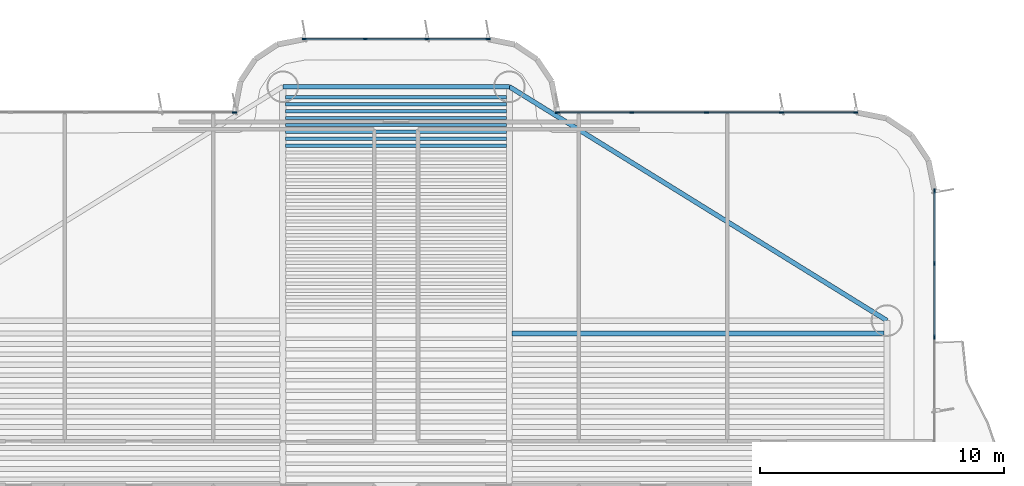
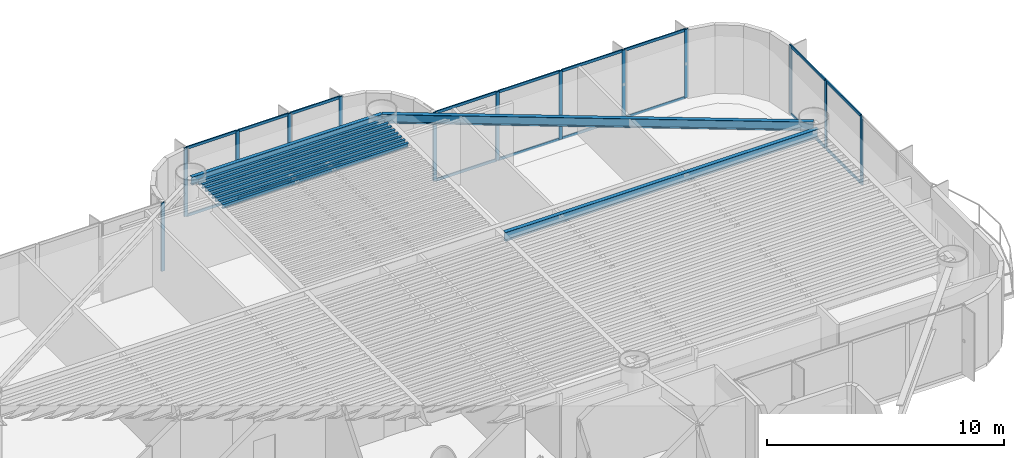
# One storey, part 7 of 16: 31 members, 11 beams, 4 elements without a shape of their own.
"""IFC4 building model written with IfcOpenShell, lengths in metres."""

from ifc_helpers import new_model, si_unit, direction, frame, origin, origin_2d, place, context, subcontext, project, spatial, rectangle, i_section, extrude, source, transform, mapped, material, layer, layer_set, material_profile, profile_set, type_object, element, aggregate, save


model = new_model("IFC4")

# Units and contexts
model_context = context("Model", 3, precision=1e-05, world=origin(), true_north=direction((0.0, 1.0)))
body_context = subcontext(model_context, "Body", "Model", "MODEL_VIEW")
ifc_project = project(units=[si_unit("LENGTHUNIT", "METRE"), si_unit("AREAUNIT", "SQUARE_METRE"), si_unit("VOLUMEUNIT", "CUBIC_METRE"), si_unit("PLANEANGLEUNIT", "RADIAN"), si_unit("MASSUNIT", "GRAM", prefix="KILO")], contexts=[model_context])

# Site, building, storey
site_placement = place(None, origin())
site = spatial("IfcSite", under=ifc_project, at=site_placement, CompositionType="ELEMENT")
building_placement = place(site_placement, origin())
building = spatial("IfcBuilding", under=site, at=building_placement, Name="Brelvock Crest Care Tower", CompositionType="ELEMENT")
storey_placement = place(building_placement, frame((0.0, 0.0, 112.5)))
storey = spatial("IfcBuildingStorey", under=building, at=storey_placement, Name="L28", CompositionType="ELEMENT", Elevation=112.5)

# Beams
ifc_material_1 = material(Name="Steel Grade 350", Category="steel")
ifc_material_profile_1 = material_profile(ifc_material_1, i_section(OverallWidth=0.177978515625, OverallDepth=0.406005859375, WebThickness=0.0078125, FlangeThickness=0.0126953125, FilletRadius=0.011474609375, at=origin_2d()), Name="410UB59.7")
ifc_profile_set_1 = profile_set([ifc_material_profile_1], Name="Steel Grade 350")
beam_type_1 = type_object("IfcBeamType", Name="BM-SP1", PredefinedType="SPANDREL", material=ifc_profile_set_1)
shared_shape_1 = source(origin(), body_context, "Body", "SweptSolid", [
    extrude(i_section(OverallWidth=0.177978515625, OverallDepth=0.406005859375, WebThickness=0.0078125, FlangeThickness=0.0126953125, FilletRadius=0.011474609375, at=origin_2d()), origin(), (0.0, 0.0, 1.0), 9.2998046875),
])
beam_1_placement = place(storey_placement, frame((31.35009765625, 48.449951171875, 3.326904296875), z_axis=(1.0, 0.0, 0.0), x_axis=(0.0, 1.0, 0.0)))
element("IfcBeam", 1, at=beam_1_placement, inside=storey, type_object=beam_type_1, Name="BM-TWR-L28-08", PredefinedType="SPANDREL", context=body_context, shape_type="MappedRepresentation", body=[
    mapped(shared_shape_1, transform((0.0, 0.0, 0.0), x_axis=(1.0, 0.0, 0.0), y_axis=(0.0, 1.0, 0.0), z_axis=(0.0, 0.0, 1.0), scale=1.0)),
])
ifc_material_profile_2 = material_profile(ifc_material_1, i_section(OverallWidth=0.134033203125, OverallDepth=0.20703125, WebThickness=0.00634765625, FlangeThickness=0.009521484375, FilletRadius=0.0087890625, at=origin_2d()), Name="200UB29.8")
ifc_profile_set_2 = profile_set([ifc_material_profile_2], Name="Steel Grade 350")
beam_type_2 = type_object("IfcBeamType", Name="BM-J4", PredefinedType="JOIST", material=ifc_profile_set_2)
shared_shape_2 = source(origin(), body_context, "Body", "SweptSolid", [
    extrude(i_section(OverallWidth=0.134033203125, OverallDepth=0.20703125, WebThickness=0.00634765625, FlangeThickness=0.009521484375, FilletRadius=0.0087890625, at=origin_2d()), origin(), (0.0, 0.0, 1.0), 9.06982421875),
])
for number, where, z_axis, x_axis, name in (
    (2, (31.465087890625, 46.03076171875, 3.426513671875), (1.0, 0.0, 0.0), (0.0, 1.0, 0.0), "BM-JN-L28-25"),
    (3, (31.465087890625, 46.31396484375, 3.426513671875), (1.0, 0.0, 0.0), (0.0, 1.0, 0.0), "BM-JN-L28-26"),
    (4, (31.465087890625, 46.59716796875, 3.426513671875), (1.0, 0.0, 0.0), (0.0, 1.0, 0.0), "BM-JN-L28-27"),
    (5, (31.465087890625, 46.88037109375, 3.426513671875), (1.0, 0.0, 0.0), (0.0, 1.0, 0.0), "BM-JN-L28-28"),
    (6, (31.465087890625, 47.16357421875, 3.426513671875), (1.0, 0.0, 0.0), (0.0, 1.0, 0.0), "BM-JN-L28-29"),
    (7, (31.465087890625, 47.44677734375, 3.426513671875), (1.0, 0.0, 0.0), (0.0, 1.0, 0.0), "BM-JN-L28-30"),
    (8, (31.465087890625, 47.72998046875, 3.426513671875), (1.0, 0.0, 0.0), (0.0, 1.0, 0.0), "BM-JN-L28-31"),
    (9, (31.465087890625, 48.01318359375, 3.426513671875), (1.0, 0.0, 0.0), (0.0, 1.0, 0.0), "BM-JN-L28-32"),
):
    element("IfcBeam", number, at=place(storey_placement, frame(where, z_axis=z_axis, x_axis=x_axis)), inside=storey, type_object=beam_type_2, Name=name, PredefinedType="JOIST", context=body_context, shape_type="MappedRepresentation", body=[
        mapped(shared_shape_2, transform((0.0, 0.0, 0.0), x_axis=(1.0, 0.0, 0.0), y_axis=(0.0, 1.0, 0.0), z_axis=(0.0, 0.0, 1.0), scale=1.0)),
    ])
ifc_material_profile_3 = material_profile(ifc_material_1, i_section(OverallWidth=0.19091796875, OverallDepth=0.4599609375, WebThickness=0.010009765625, FlangeThickness=0.01611328125, FilletRadius=0.011474609375, at=origin_2d()), Name="460UB82.1")
ifc_profile_set_3 = profile_set([ifc_material_profile_3], Name="Steel Grade 350")
beam_type_3 = type_object("IfcBeamType", Name="BM-G3", PredefinedType="BEAM", material=ifc_profile_set_3)
shared_shape_3 = source(origin(), body_context, "Body", "SweptSolid", [
    extrude(i_section(OverallWidth=0.19091796875, OverallDepth=0.4599609375, WebThickness=0.010009765625, FlangeThickness=0.01611328125, FilletRadius=0.011474609375, at=origin_2d()), origin(), (0.0, 0.0, 1.0), 15.27001953125),
])
beam_2_placement = place(storey_placement, frame((40.764892578125, 38.317626953125, 3.300048828125), z_axis=(1.0, 0.0, 0.0), x_axis=(0.0, 1.0, 0.0)))
element("IfcBeam", 10, at=beam_2_placement, inside=storey, type_object=beam_type_3, Name="BM-JE-L28-26", PredefinedType="BEAM", context=body_context, shape_type="MappedRepresentation", body=[
    mapped(shared_shape_3, transform((0.0, 0.0, 0.0), x_axis=(1.0, 0.0, 0.0), y_axis=(0.0, 1.0, 0.0), z_axis=(0.0, 0.0, 1.0), scale=1.0)),
])
ifc_material_profile_4 = material_profile(ifc_material_1, i_section(OverallWidth=0.19091796875, OverallDepth=0.4599609375, WebThickness=0.010009765625, FlangeThickness=0.01611328125, FilletRadius=0.011474609375, at=origin_2d()), Name="460UB82.1")
ifc_profile_set_4 = profile_set([ifc_material_profile_4], Name="Steel Grade 350")
beam_type_4 = type_object("IfcBeamType", Name="BM-SP2", PredefinedType="SPANDREL", material=ifc_profile_set_4)
shared_shape_4 = source(origin(), body_context, "Body", "SweptSolid", [
    extrude(i_section(OverallWidth=0.19091796875, OverallDepth=0.4599609375, WebThickness=0.010009765625, FlangeThickness=0.01611328125, FilletRadius=0.011474609375, at=origin_2d()), origin(), (0.0, 0.0, 1.0), 18.23193359375),
])
beam_3_placement = place(storey_placement, frame((40.64990234375, 48.449951171875, 3.300048828125), z_axis=(0.85015183248, -0.526537616635, 0.0), x_axis=(0.526537616635, 0.85015183248, 0.0)))
element("IfcBeam", 11, at=beam_3_placement, inside=storey, type_object=beam_type_4, Name="BM-TWR-L28-07", PredefinedType="SPANDREL", context=body_context, shape_type="MappedRepresentation", body=[
    mapped(shared_shape_4, transform((0.0, 0.0, 0.0), x_axis=(1.0, 0.0, 0.0), y_axis=(0.0, 1.0, 0.0), z_axis=(0.0, 0.0, 1.0), scale=1.0)),
])

# Curtain wall, member
ifc_material_2 = material(Name="Dark Glass Double Glazed Low-E", Category="glass")
ifc_layer = layer(ifc_material_2, 0.2099609375, Name="CWS-3")
ifc_layer_set = layer_set([ifc_layer], Name="Dark Glass Double Glazed Low-E")
curtain_wall_type = type_object("IfcCurtainWallType", Name="CWS-3", PredefinedType="NOTDEFINED", material=ifc_layer_set)
curtain_wall_1_placement = place(storey_placement, origin())
curtain_wall_1 = element("IfcCurtainWall", 12, at=curtain_wall_1_placement, inside=storey, type_object=curtain_wall_type, Name="L28 Curtain Wall E22", PredefinedType="NOTDEFINED")
ifc_material_3 = material(Name="Aluminium 6063-T6", Category="aluminium")
ifc_material_profile_5 = material_profile(ifc_material_3, rectangle(XDim=0.06005859375, YDim=0.179931640625, at=origin_2d()), Name="ALU60x180")
ifc_profile_set_5 = profile_set([ifc_material_profile_5], Name="Aluminium 6063-T6")
member_type_1 = type_object("IfcMemberType", Name="CWM-2", PredefinedType="MULLION", material=ifc_profile_set_5)
shared_shape_5 = source(origin(), body_context, "Body", "SweptSolid", [
    extrude(rectangle(XDim=0.06005859375, YDim=0.179931640625, at=origin_2d()), origin(), (0.0, 0.0, 1.0), 3.530029296875),
])
member_1_placement = place(storey_placement, frame((29.3701171875, 47.39990234375, 0.0), z_axis=(0.0, 0.0, 1.0), x_axis=(0.0, 1.0, 0.0)))
member_1 = element("IfcMember", 13, at=member_1_placement, type_object=member_type_1, Name="CW-3 mullion 5", PredefinedType="MULLION", context=body_context, shape_type="MappedRepresentation", body=[
    mapped(shared_shape_5, transform((0.0, 0.0, 0.0), x_axis=(1.0, 0.0, 0.0), y_axis=(0.0, 1.0, 0.0), z_axis=(0.0, 0.0, 1.0), scale=1.0)),
])
aggregate(curtain_wall_1, [member_1])

# Curtain wall, members
curtain_wall_2_placement = place(storey_placement, origin())
curtain_wall_2 = element("IfcCurtainWall", 14, at=curtain_wall_2_placement, inside=storey, type_object=curtain_wall_type, Name="L28 Curtain Wall E28", PredefinedType="NOTDEFINED")
member_2_placement = place(storey_placement, frame((32.22998046875, 50.39990234375, 0.0), z_axis=(0.0, 0.0, 1.0), x_axis=(0.0, 1.0, 0.0)))
member_2 = element("IfcMember", 15, at=member_2_placement, type_object=member_type_1, Name="CW-3 mullion 1", PredefinedType="MULLION", context=body_context, shape_type="MappedRepresentation", body=[
    mapped(shared_shape_5, transform((0.0, 0.0, 0.0), x_axis=(1.0, 0.0, 0.0), y_axis=(0.0, 1.0, 0.0), z_axis=(0.0, 0.0, 1.0), scale=1.0)),
])
member_3_placement = place(storey_placement, frame((34.7333984375, 50.39990234375, 0.0), z_axis=(0.0, 0.0, 1.0), x_axis=(0.0, 1.0, 0.0)))
member_3 = element("IfcMember", 16, at=member_3_placement, type_object=member_type_1, Name="CW-3 mullion 2", PredefinedType="MULLION", context=body_context, shape_type="MappedRepresentation", body=[
    mapped(shared_shape_5, transform((0.0, 0.0, 0.0), x_axis=(1.0, 0.0, 0.0), y_axis=(0.0, 1.0, 0.0), z_axis=(0.0, 0.0, 1.0), scale=1.0)),
])
member_4_placement = place(storey_placement, frame((37.2666015625, 50.39990234375, 0.0), z_axis=(0.0, 0.0, 1.0), x_axis=(0.0, 1.0, 0.0)))
member_4 = element("IfcMember", 17, at=member_4_placement, type_object=member_type_1, Name="CW-3 mullion 3", PredefinedType="MULLION", context=body_context, shape_type="MappedRepresentation", body=[
    mapped(shared_shape_5, transform((0.0, 0.0, 0.0), x_axis=(1.0, 0.0, 0.0), y_axis=(0.0, 1.0, 0.0), z_axis=(0.0, 0.0, 1.0), scale=1.0)),
])
member_5_placement = place(storey_placement, frame((39.77001953125, 50.39990234375, 0.0), z_axis=(0.0, 0.0, 1.0), x_axis=(0.0, 1.0, 0.0)))
member_5 = element("IfcMember", 18, at=member_5_placement, type_object=member_type_1, Name="CW-3 mullion 4", PredefinedType="MULLION", context=body_context, shape_type="MappedRepresentation", body=[
    mapped(shared_shape_5, transform((0.0, 0.0, 0.0), x_axis=(1.0, 0.0, 0.0), y_axis=(0.0, 1.0, 0.0), z_axis=(0.0, 0.0, 1.0), scale=1.0)),
])

curtain_wall_3_placement = place(storey_placement, origin())
curtain_wall_3 = element("IfcCurtainWall", 19, at=curtain_wall_3_placement, inside=storey, type_object=curtain_wall_type, Name="L28 Curtain Wall E34", PredefinedType="NOTDEFINED")
member_6_placement = place(storey_placement, frame((42.6298828125, 47.39990234375, 0.0), z_axis=(0.0, 0.0, 1.0), x_axis=(0.0, 1.0, 0.0)))
member_6 = element("IfcMember", 20, at=member_6_placement, type_object=member_type_1, Name="CW-3 mullion 1", PredefinedType="MULLION", context=body_context, shape_type="MappedRepresentation", body=[
    mapped(shared_shape_5, transform((0.0, 0.0, 0.0), x_axis=(1.0, 0.0, 0.0), y_axis=(0.0, 1.0, 0.0), z_axis=(0.0, 0.0, 1.0), scale=1.0)),
])
member_7_placement = place(storey_placement, frame((45.675048828125, 47.39990234375, 0.0), z_axis=(0.0, 0.0, 1.0), x_axis=(0.0, 1.0, 0.0)))
member_7 = element("IfcMember", 21, at=member_7_placement, type_object=member_type_1, Name="CW-3 mullion 2", PredefinedType="MULLION", context=body_context, shape_type="MappedRepresentation", body=[
    mapped(shared_shape_5, transform((0.0, 0.0, 0.0), x_axis=(1.0, 0.0, 0.0), y_axis=(0.0, 1.0, 0.0), z_axis=(0.0, 0.0, 1.0), scale=1.0)),
])
member_8_placement = place(storey_placement, frame((48.75, 47.39990234375, 0.0), z_axis=(0.0, 0.0, 1.0), x_axis=(0.0, 1.0, 0.0)))
member_8 = element("IfcMember", 22, at=member_8_placement, type_object=member_type_1, Name="CW-3 mullion 3", PredefinedType="MULLION", context=body_context, shape_type="MappedRepresentation", body=[
    mapped(shared_shape_5, transform((0.0, 0.0, 0.0), x_axis=(1.0, 0.0, 0.0), y_axis=(0.0, 1.0, 0.0), z_axis=(0.0, 0.0, 1.0), scale=1.0)),
])
member_9_placement = place(storey_placement, frame((51.824951171875, 47.39990234375, 0.0), z_axis=(0.0, 0.0, 1.0), x_axis=(0.0, 1.0, 0.0)))
member_9 = element("IfcMember", 23, at=member_9_placement, type_object=member_type_1, Name="CW-3 mullion 4", PredefinedType="MULLION", context=body_context, shape_type="MappedRepresentation", body=[
    mapped(shared_shape_5, transform((0.0, 0.0, 0.0), x_axis=(1.0, 0.0, 0.0), y_axis=(0.0, 1.0, 0.0), z_axis=(0.0, 0.0, 1.0), scale=1.0)),
])
member_10_placement = place(storey_placement, frame((54.8701171875, 47.39990234375, 0.0), z_axis=(0.0, 0.0, 1.0), x_axis=(0.0, 1.0, 0.0)))
member_10 = element("IfcMember", 24, at=member_10_placement, type_object=member_type_1, Name="CW-3 mullion 5", PredefinedType="MULLION", context=body_context, shape_type="MappedRepresentation", body=[
    mapped(shared_shape_5, transform((0.0, 0.0, 0.0), x_axis=(1.0, 0.0, 0.0), y_axis=(0.0, 1.0, 0.0), z_axis=(0.0, 0.0, 1.0), scale=1.0)),
])

curtain_wall_4_placement = place(storey_placement, origin())
curtain_wall_4 = element("IfcCurtainWall", 25, at=curtain_wall_4_placement, inside=storey, type_object=curtain_wall_type, Name="L28 Curtain Wall E39A", PredefinedType="NOTDEFINED")
member_11_placement = place(storey_placement, frame((58.10009765625, 44.169921875, 0.0), z_axis=(0.0, 0.0, 1.0), x_axis=(1.0, 0.0, 0.0)))
member_11 = element("IfcMember", 26, at=member_11_placement, type_object=member_type_1, Name="CW-3 mullion 1", PredefinedType="MULLION", context=body_context, shape_type="MappedRepresentation", body=[
    mapped(shared_shape_5, transform((0.0, 0.0, 0.0), x_axis=(1.0, 0.0, 0.0), y_axis=(0.0, 1.0, 0.0), z_axis=(0.0, 0.0, 1.0), scale=1.0)),
])
member_12_placement = place(storey_placement, frame((58.10009765625, 41.1875, 0.0), z_axis=(0.0, 0.0, 1.0), x_axis=(1.0, 0.0, 0.0)))
member_12 = element("IfcMember", 27, at=member_12_placement, type_object=member_type_1, Name="CW-3 mullion 2", PredefinedType="MULLION", context=body_context, shape_type="MappedRepresentation", body=[
    mapped(shared_shape_5, transform((0.0, 0.0, 0.0), x_axis=(1.0, 0.0, 0.0), y_axis=(0.0, 1.0, 0.0), z_axis=(0.0, 0.0, 1.0), scale=1.0)),
])
member_13_placement = place(storey_placement, frame((58.10009765625, 38.175048828125, 0.0), z_axis=(0.0, 0.0, 1.0), x_axis=(1.0, 0.0, 0.0)))
member_13 = element("IfcMember", 28, at=member_13_placement, type_object=member_type_1, Name="CW-3 mullion 3", PredefinedType="MULLION", context=body_context, shape_type="MappedRepresentation", body=[
    mapped(shared_shape_5, transform((0.0, 0.0, 0.0), x_axis=(1.0, 0.0, 0.0), y_axis=(0.0, 1.0, 0.0), z_axis=(0.0, 0.0, 1.0), scale=1.0)),
])
ifc_material_profile_6 = material_profile(ifc_material_3, rectangle(XDim=0.06005859375, YDim=0.139892578125, at=origin_2d()), Name="ALU60x140")
ifc_profile_set_6 = profile_set([ifc_material_profile_6], Name="Aluminium 6063-T6")
member_type_2 = type_object("IfcMemberType", Name="CWT-2", PredefinedType="USERDEFINED", material=ifc_profile_set_6)
shared_shape_6 = source(origin(), body_context, "Body", "SweptSolid", [
    extrude(rectangle(XDim=0.06005859375, YDim=0.139892578125, at=origin_2d()), origin(), (0.0, 0.0, 1.0), 2.952392578125),
])
member_14_placement = place(storey_placement, frame((58.10009765625, 41.157470703125, 0.030029296875), z_axis=(0.0, -1.0, 0.0), x_axis=(1.0, 0.0, 0.0)))
member_14 = element("IfcMember", 29, at=member_14_placement, type_object=member_type_2, Name="CW-3 transom 2.1", ObjectType="TRANSOM", PredefinedType="USERDEFINED", context=body_context, shape_type="MappedRepresentation", body=[
    mapped(shared_shape_6, transform((0.0, 0.0, 0.0), x_axis=(1.0, 0.0, 0.0), y_axis=(0.0, 1.0, 0.0), z_axis=(0.0, 0.0, 1.0), scale=1.0)),
])
member_15_placement = place(storey_placement, frame((58.10009765625, 41.157470703125, 3.5), z_axis=(0.0, -1.0, 0.0), x_axis=(1.0, 0.0, 0.0)))
member_15 = element("IfcMember", 30, at=member_15_placement, type_object=member_type_2, Name="CW-3 transom 2.2", ObjectType="TRANSOM", PredefinedType="USERDEFINED", context=body_context, shape_type="MappedRepresentation", body=[
    mapped(shared_shape_6, transform((0.0, 0.0, 0.0), x_axis=(1.0, 0.0, 0.0), y_axis=(0.0, 1.0, 0.0), z_axis=(0.0, 0.0, 1.0), scale=1.0)),
])
shared_shape_7 = source(origin(), body_context, "Body", "SweptSolid", [
    extrude(rectangle(XDim=0.06005859375, YDim=0.139892578125, at=origin_2d()), origin(), (0.0, 0.0, 1.0), 2.92236328125),
])
member_16_placement = place(storey_placement, frame((58.10009765625, 44.139892578125, 0.030029296875), z_axis=(0.0, -1.0, 0.0), x_axis=(1.0, 0.0, 0.0)))
member_16 = element("IfcMember", 31, at=member_16_placement, type_object=member_type_2, Name="CW-3 transom 1.1", ObjectType="TRANSOM", PredefinedType="USERDEFINED", context=body_context, shape_type="MappedRepresentation", body=[
    mapped(shared_shape_7, transform((0.0, 0.0, 0.0), x_axis=(1.0, 0.0, 0.0), y_axis=(0.0, 1.0, 0.0), z_axis=(0.0, 0.0, 1.0), scale=1.0)),
])
member_17_placement = place(storey_placement, frame((58.10009765625, 44.139892578125, 3.5), z_axis=(0.0, -1.0, 0.0), x_axis=(1.0, 0.0, 0.0)))
member_17 = element("IfcMember", 32, at=member_17_placement, type_object=member_type_2, Name="CW-3 transom 1.2", ObjectType="TRANSOM", PredefinedType="USERDEFINED", context=body_context, shape_type="MappedRepresentation", body=[
    mapped(shared_shape_7, transform((0.0, 0.0, 0.0), x_axis=(1.0, 0.0, 0.0), y_axis=(0.0, 1.0, 0.0), z_axis=(0.0, 0.0, 1.0), scale=1.0)),
])
aggregate(curtain_wall_4, [member_11, member_12, member_13, member_16, member_17, member_14, member_15])

# Member
shared_shape_8 = source(origin(), body_context, "Body", "SweptSolid", [
    extrude(rectangle(XDim=0.06005859375, YDim=0.139892578125, at=origin_2d()), origin(), (0.0, 0.0, 1.0), 2.985107421875),
])
member_18_placement = place(storey_placement, frame((42.659912109375, 47.39990234375, 0.030029296875), z_axis=(1.0, 0.0, 0.0), x_axis=(0.0, 1.0, 0.0)))
member_18 = element("IfcMember", 33, at=member_18_placement, type_object=member_type_2, Name="CW-3 transom 1.1", ObjectType="TRANSOM", PredefinedType="USERDEFINED", context=body_context, shape_type="MappedRepresentation", body=[
    mapped(shared_shape_8, transform((0.0, 0.0, 0.0), x_axis=(1.0, 0.0, 0.0), y_axis=(0.0, 1.0, 0.0), z_axis=(0.0, 0.0, 1.0), scale=1.0)),
])

member_19_placement = place(storey_placement, frame((42.659912109375, 47.39990234375, 3.5), z_axis=(1.0, 0.0, 0.0), x_axis=(0.0, 1.0, 0.0)))
member_19 = element("IfcMember", 34, at=member_19_placement, type_object=member_type_2, Name="CW-3 transom 1.2", ObjectType="TRANSOM", PredefinedType="USERDEFINED", context=body_context, shape_type="MappedRepresentation", body=[
    mapped(shared_shape_8, transform((0.0, 0.0, 0.0), x_axis=(1.0, 0.0, 0.0), y_axis=(0.0, 1.0, 0.0), z_axis=(0.0, 0.0, 1.0), scale=1.0)),
])

member_20_placement = place(storey_placement, frame((51.85498046875, 47.39990234375, 0.030029296875), z_axis=(1.0, 0.0, 0.0), x_axis=(0.0, 1.0, 0.0)))
member_20 = element("IfcMember", 35, at=member_20_placement, type_object=member_type_2, Name="CW-3 transom 4.1", ObjectType="TRANSOM", PredefinedType="USERDEFINED", context=body_context, shape_type="MappedRepresentation", body=[
    mapped(shared_shape_8, transform((0.0, 0.0, 0.0), x_axis=(1.0, 0.0, 0.0), y_axis=(0.0, 1.0, 0.0), z_axis=(0.0, 0.0, 1.0), scale=1.0)),
])

member_21_placement = place(storey_placement, frame((51.85498046875, 47.39990234375, 3.5), z_axis=(1.0, 0.0, 0.0), x_axis=(0.0, 1.0, 0.0)))
member_21 = element("IfcMember", 36, at=member_21_placement, type_object=member_type_2, Name="CW-3 transom 4.2", ObjectType="TRANSOM", PredefinedType="USERDEFINED", context=body_context, shape_type="MappedRepresentation", body=[
    mapped(shared_shape_8, transform((0.0, 0.0, 0.0), x_axis=(1.0, 0.0, 0.0), y_axis=(0.0, 1.0, 0.0), z_axis=(0.0, 0.0, 1.0), scale=1.0)),
])

shared_shape_9 = source(origin(), body_context, "Body", "SweptSolid", [
    extrude(rectangle(XDim=0.06005859375, YDim=0.139892578125, at=origin_2d()), origin(), (0.0, 0.0, 1.0), 3.014892578125),
])
member_22_placement = place(storey_placement, frame((45.705078125, 47.39990234375, 0.030029296875), z_axis=(1.0, 0.0, 0.0), x_axis=(0.0, 1.0, 0.0)))
member_22 = element("IfcMember", 37, at=member_22_placement, type_object=member_type_2, Name="CW-3 transom 2.1", ObjectType="TRANSOM", PredefinedType="USERDEFINED", context=body_context, shape_type="MappedRepresentation", body=[
    mapped(shared_shape_9, transform((0.0, 0.0, 0.0), x_axis=(1.0, 0.0, 0.0), y_axis=(0.0, 1.0, 0.0), z_axis=(0.0, 0.0, 1.0), scale=1.0)),
])

member_23_placement = place(storey_placement, frame((45.705078125, 47.39990234375, 3.5), z_axis=(1.0, 0.0, 0.0), x_axis=(0.0, 1.0, 0.0)))
member_23 = element("IfcMember", 38, at=member_23_placement, type_object=member_type_2, Name="CW-3 transom 2.2", ObjectType="TRANSOM", PredefinedType="USERDEFINED", context=body_context, shape_type="MappedRepresentation", body=[
    mapped(shared_shape_9, transform((0.0, 0.0, 0.0), x_axis=(1.0, 0.0, 0.0), y_axis=(0.0, 1.0, 0.0), z_axis=(0.0, 0.0, 1.0), scale=1.0)),
])

member_24_placement = place(storey_placement, frame((48.780029296875, 47.39990234375, 0.030029296875), z_axis=(1.0, 0.0, 0.0), x_axis=(0.0, 1.0, 0.0)))
member_24 = element("IfcMember", 39, at=member_24_placement, type_object=member_type_2, Name="CW-3 transom 3.1", ObjectType="TRANSOM", PredefinedType="USERDEFINED", context=body_context, shape_type="MappedRepresentation", body=[
    mapped(shared_shape_9, transform((0.0, 0.0, 0.0), x_axis=(1.0, 0.0, 0.0), y_axis=(0.0, 1.0, 0.0), z_axis=(0.0, 0.0, 1.0), scale=1.0)),
])

member_25_placement = place(storey_placement, frame((48.780029296875, 47.39990234375, 3.5), z_axis=(1.0, 0.0, 0.0), x_axis=(0.0, 1.0, 0.0)))
member_25 = element("IfcMember", 40, at=member_25_placement, type_object=member_type_2, Name="CW-3 transom 3.2", ObjectType="TRANSOM", PredefinedType="USERDEFINED", context=body_context, shape_type="MappedRepresentation", body=[
    mapped(shared_shape_9, transform((0.0, 0.0, 0.0), x_axis=(1.0, 0.0, 0.0), y_axis=(0.0, 1.0, 0.0), z_axis=(0.0, 0.0, 1.0), scale=1.0)),
])

aggregate(curtain_wall_3, [member_6, member_7, member_8, member_9, member_10, member_18, member_19, member_22, member_23, member_24, member_25, member_20, member_21])

shared_shape_10 = source(origin(), body_context, "Body", "SweptSolid", [
    extrude(rectangle(XDim=0.06005859375, YDim=0.139892578125, at=origin_2d()), origin(), (0.0, 0.0, 1.0), 2.443359375),
])
member_26_placement = place(storey_placement, frame((32.260009765625, 50.39990234375, 0.030029296875), z_axis=(1.0, 0.0, 0.0), x_axis=(0.0, 1.0, 0.0)))
member_26 = element("IfcMember", 41, at=member_26_placement, type_object=member_type_2, Name="CW-3 transom 1.1", ObjectType="TRANSOM", PredefinedType="USERDEFINED", context=body_context, shape_type="MappedRepresentation", body=[
    mapped(shared_shape_10, transform((0.0, 0.0, 0.0), x_axis=(1.0, 0.0, 0.0), y_axis=(0.0, 1.0, 0.0), z_axis=(0.0, 0.0, 1.0), scale=1.0)),
])

member_27_placement = place(storey_placement, frame((32.260009765625, 50.39990234375, 3.5), z_axis=(1.0, 0.0, 0.0), x_axis=(0.0, 1.0, 0.0)))
member_27 = element("IfcMember", 42, at=member_27_placement, type_object=member_type_2, Name="CW-3 transom 1.2", ObjectType="TRANSOM", PredefinedType="USERDEFINED", context=body_context, shape_type="MappedRepresentation", body=[
    mapped(shared_shape_10, transform((0.0, 0.0, 0.0), x_axis=(1.0, 0.0, 0.0), y_axis=(0.0, 1.0, 0.0), z_axis=(0.0, 0.0, 1.0), scale=1.0)),
])

member_28_placement = place(storey_placement, frame((37.296630859375, 50.39990234375, 0.030029296875), z_axis=(1.0, 0.0, 0.0), x_axis=(0.0, 1.0, 0.0)))
member_28 = element("IfcMember", 43, at=member_28_placement, type_object=member_type_2, Name="CW-3 transom 3.1", ObjectType="TRANSOM", PredefinedType="USERDEFINED", context=body_context, shape_type="MappedRepresentation", body=[
    mapped(shared_shape_10, transform((0.0, 0.0, 0.0), x_axis=(1.0, 0.0, 0.0), y_axis=(0.0, 1.0, 0.0), z_axis=(0.0, 0.0, 1.0), scale=1.0)),
])

member_29_placement = place(storey_placement, frame((37.296630859375, 50.39990234375, 3.5), z_axis=(1.0, 0.0, 0.0), x_axis=(0.0, 1.0, 0.0)))
member_29 = element("IfcMember", 44, at=member_29_placement, type_object=member_type_2, Name="CW-3 transom 3.2", ObjectType="TRANSOM", PredefinedType="USERDEFINED", context=body_context, shape_type="MappedRepresentation", body=[
    mapped(shared_shape_10, transform((0.0, 0.0, 0.0), x_axis=(1.0, 0.0, 0.0), y_axis=(0.0, 1.0, 0.0), z_axis=(0.0, 0.0, 1.0), scale=1.0)),
])

shared_shape_11 = source(origin(), body_context, "Body", "SweptSolid", [
    extrude(rectangle(XDim=0.06005859375, YDim=0.139892578125, at=origin_2d()), origin(), (0.0, 0.0, 1.0), 2.47314453125),
])
member_30_placement = place(storey_placement, frame((34.763427734375, 50.39990234375, 0.030029296875), z_axis=(1.0, 0.0, 0.0), x_axis=(0.0, 1.0, 0.0)))
member_30 = element("IfcMember", 45, at=member_30_placement, type_object=member_type_2, Name="CW-3 transom 2.1", ObjectType="TRANSOM", PredefinedType="USERDEFINED", context=body_context, shape_type="MappedRepresentation", body=[
    mapped(shared_shape_11, transform((0.0, 0.0, 0.0), x_axis=(1.0, 0.0, 0.0), y_axis=(0.0, 1.0, 0.0), z_axis=(0.0, 0.0, 1.0), scale=1.0)),
])

member_31_placement = place(storey_placement, frame((34.763427734375, 50.39990234375, 3.5), z_axis=(1.0, 0.0, 0.0), x_axis=(0.0, 1.0, 0.0)))
member_31 = element("IfcMember", 46, at=member_31_placement, type_object=member_type_2, Name="CW-3 transom 2.2", ObjectType="TRANSOM", PredefinedType="USERDEFINED", context=body_context, shape_type="MappedRepresentation", body=[
    mapped(shared_shape_11, transform((0.0, 0.0, 0.0), x_axis=(1.0, 0.0, 0.0), y_axis=(0.0, 1.0, 0.0), z_axis=(0.0, 0.0, 1.0), scale=1.0)),
])

aggregate(curtain_wall_2, [member_2, member_3, member_4, member_5, member_26, member_27, member_30, member_31, member_28, member_29])

save(model, "model.ifc")
